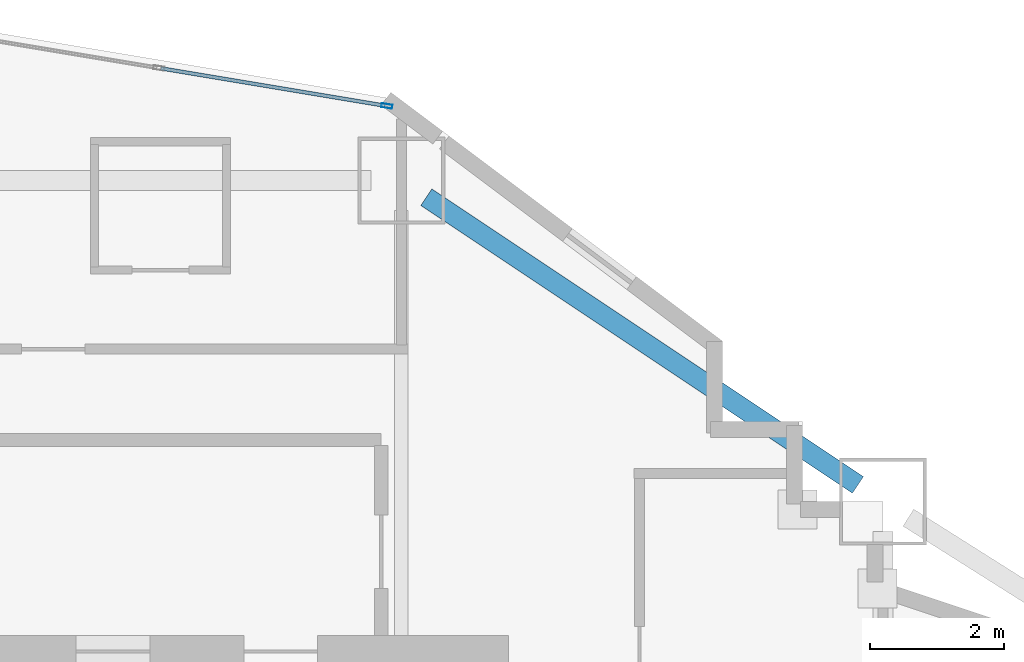
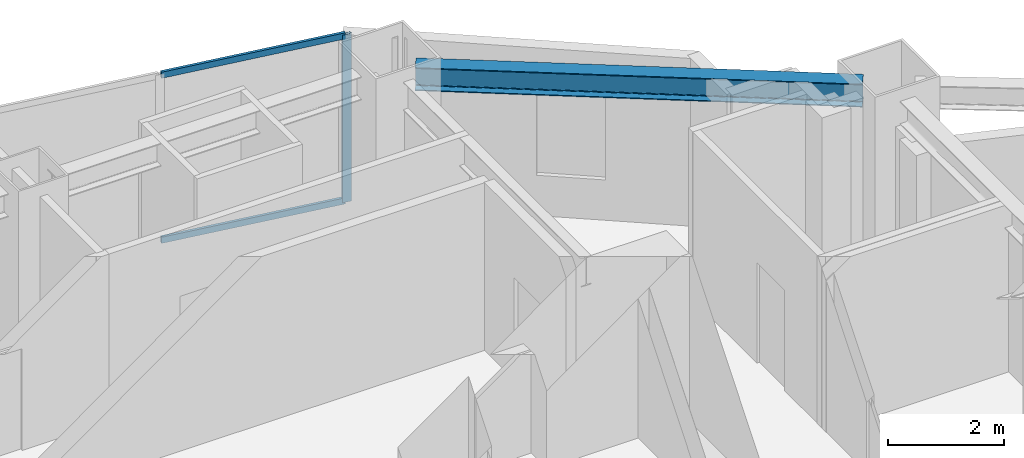
# One storey, part 5 of 19: 3 members, 1 beam, 1 element without a shape of its own.
"""IFC4 building model written with IfcOpenShell, lengths in metres."""

import ifcopenshell
import ifcopenshell.guid

model = None  # the IFC model being written
_history = None  # IfcOwnerHistory: only IFC2X3 demands one
_inside = {}  # id of a spatial element -> (the spatial element, [elements in it])
_under = {}  # id of a project, library or spatial element -> (it, [spatial elements below it])
_declared = {}  # id of a project -> (the project, [libraries it declares])
_typed = {}  # id of a type object -> (the type object, [elements of that type])
_made_of = {}  # id of a material, layer set ... -> (it, [elements and type objects made of it])


def new_model(schema):
    """Start an empty IFC model of exactly this schema.

    Asked for "IFC4X3", IfcOpenShell would pick the latest addendum, in which some entities
    have other attributes; the version numbers below select the first issue.
    IFC2X3 requires an IfcOwnerHistory on every rooted entity: one is made here for all.
    """
    global model, _history
    if schema == "IFC4X3":
        model = ifcopenshell.file(schema_version=(4, 3, 0, 0))
    else:
        model = ifcopenshell.file(schema=schema)
    _inside.clear()
    _under.clear()
    _declared.clear()
    _typed.clear()
    _made_of.clear()
    _history = None
    if model.schema == "IFC2X3":
        org = make("IfcOrganization", Name="unknown")
        user = make(
            "IfcPersonAndOrganization",
            ThePerson=make("IfcPerson", FamilyName="unknown"),
            TheOrganization=org,
        )
        app = make(
            "IfcApplication",
            ApplicationDeveloper=org,
            Version="unknown",
            ApplicationFullName="unknown",
            ApplicationIdentifier="unknown",
        )
        _history = make(
            "IfcOwnerHistory",
            OwningUser=user,
            OwningApplication=app,
            ChangeAction="ADDED",
            CreationDate=0,
        )
    return model


def make(cls, **values):
    """One entity of the class cls with the attributes given. An attribute that is None is left unset."""
    return model.create_entity(
        cls, **{name: value for name, value in values.items() if value is not None}
    )


def rooted(cls, **values):
    """An entity with a GlobalId (a new one), such as an element, a storey or a relation."""
    return make(cls, GlobalId=ifcopenshell.guid.new(), OwnerHistory=_history, **values)


def si_unit(unit_type, name, prefix=None):
    """IfcSIUnit, for example si_unit("LENGTHUNIT", "METRE", prefix="MILLI")."""
    return make("IfcSIUnit", UnitType=unit_type, Prefix=prefix, Name=name)


def assignment(units):
    """IfcUnitAssignment: the units of a project."""
    return None if units is None else make("IfcUnitAssignment", Units=units)


def point(xyz):
    """IfcCartesianPoint."""
    return None if xyz is None else make("IfcCartesianPoint", Coordinates=xyz)


def direction(xyz):
    """IfcDirection."""
    return None if xyz is None else make("IfcDirection", DirectionRatios=xyz)


def frame(location, z_axis=None, x_axis=None):
    """IfcAxis2Placement3D, a coordinate frame: its origin and axes. An axis left out is left unset."""
    return make(
        "IfcAxis2Placement3D",
        Location=point(location),
        Axis=direction(z_axis),
        RefDirection=direction(x_axis),
    )


def frame_2d(location, x_axis=None):
    """IfcAxis2Placement2D, a coordinate frame in the plane: its origin and x axis."""
    return make(
        "IfcAxis2Placement2D", Location=point(location), RefDirection=direction(x_axis)
    )


def origin():
    """The frame at (0, 0, 0) with its axes left unset."""
    return frame((0.0, 0.0, 0.0))


def origin_2d():
    """The frame at (0, 0) in the plane with its x axis left unset."""
    return frame_2d((0.0, 0.0))


def place(relative_to, where):
    """IfcLocalPlacement: puts the frame where relative to a parent placement (None: the world)."""
    return make(
        "IfcLocalPlacement", PlacementRelTo=relative_to, RelativePlacement=where
    )


def context(
    kind, dimensions, precision=None, world=None, true_north=None, identifier=None
):
    """IfcGeometricRepresentationContext, for example the 3D "Model" context."""
    return make(
        "IfcGeometricRepresentationContext",
        ContextIdentifier=identifier,
        ContextType=kind,
        CoordinateSpaceDimension=dimensions,
        Precision=precision,
        WorldCoordinateSystem=world,
        TrueNorth=true_north,
    )


def subcontext(parent, identifier, kind, view, scale=None):
    """IfcGeometricRepresentationSubContext, for example "Body" below "Model"."""
    return make(
        "IfcGeometricRepresentationSubContext",
        ContextIdentifier=identifier,
        ContextType=kind,
        ParentContext=parent,
        TargetScale=scale,
        TargetView=view,
    )


def project(units=None, contexts=None):
    """IfcProject with its units and contexts."""
    return rooted(
        "IfcProject",
        Name="project",
        RepresentationContexts=contexts,
        UnitsInContext=assignment(units),
    )


def spatial(cls, under=None, at=None, **own):
    """A site, building, storey or space (cls), placed at a placement, below another one or the project."""
    s = rooted(cls, ObjectPlacement=at, **own)
    if under is not None:
        _under.setdefault(under.id(), (under, []))[1].append(s)
    return s


def profile(cls, at=None, kind="AREA", **sizes):
    """A parametric profile (cls). Its sizes go by their IFC names, for example OverallWidth=200.0."""
    return make(cls, ProfileType=kind, Position=at, **sizes)


def hollow_rectangle(**sizes):
    """IfcRectangleHollowProfileDef."""
    return profile("IfcRectangleHollowProfileDef", **sizes)


def i_section(**sizes):
    """IfcIShapeProfileDef."""
    return profile("IfcIShapeProfileDef", **sizes)


def extrude(swept, where, along, depth):
    """IfcExtrudedAreaSolid: the profile swept, set in the frame where, extruded along a direction by depth."""
    return make(
        "IfcExtrudedAreaSolid",
        SweptArea=swept,
        Position=where,
        ExtrudedDirection=direction(along),
        Depth=depth,
    )


def shape(context_of_items, identifier, shape_type, items):
    """IfcShapeRepresentation: the items that make up one representation, for example the "Body"."""
    return make(
        "IfcShapeRepresentation",
        ContextOfItems=context_of_items,
        RepresentationIdentifier=identifier,
        RepresentationType=shape_type,
        Items=items,
    )


def material(Name=None, Category=None):
    """IfcMaterial."""
    return make("IfcMaterial", Name=Name, Category=Category)


def layer(
    of_material, thickness, ventilated=None, Name=None, Category=None, Priority=None
):
    """IfcMaterialLayer: one layer of a wall or slab, of a material (None: an air gap)."""
    return make(
        "IfcMaterialLayer",
        Material=of_material,
        LayerThickness=thickness,
        IsVentilated=ventilated,
        Name=Name,
        Category=Category,
        Priority=Priority,
    )


def layer_set(layers, Name=None):
    """IfcMaterialLayerSet."""
    return make("IfcMaterialLayerSet", MaterialLayers=layers, LayerSetName=Name)


def material_profile(
    of_material, cross_section, Name=None, Category=None, Priority=None
):
    """IfcMaterialProfile: a cross section and its material."""
    return make(
        "IfcMaterialProfile",
        Name=Name,
        Material=of_material,
        Profile=cross_section,
        Priority=Priority,
        Category=Category,
    )


def profile_set(profiles, Name=None, composite=None):
    """IfcMaterialProfileSet."""
    return make(
        "IfcMaterialProfileSet",
        Name=Name,
        MaterialProfiles=profiles,
        CompositeProfile=composite,
    )


def made_of(thing, what):
    """Note that an element or type object is made of a material, layer set ...; save() writes the relation."""
    if what is not None:
        _made_of.setdefault(what.id(), (what, []))[1].append(thing)
    return thing


def type_object(cls, material=None, **own):
    """A type object (cls), such as IfcWallType, which elements share."""
    return made_of(rooted(cls, **own), material)


def element(
    cls,
    number,
    at=None,
    inside=None,
    cuts=None,
    type_object=None,
    material=None,
    context=None,
    identifier="Body",
    shape_type=None,
    held_by="IfcProductDefinitionShape",
    body=None,
    shapes=None,
    **own,
):
    """One element of the class cls, such as IfcWall. Its Tag is "e" and its number.

    at: its placement. inside: the storey or other place that contains it. cuts: it is an
    opening in that element (IfcRelVoidsElement). A single representation is given by context,
    identifier, shape_type and body (its items); several are given by shapes. held_by: the class
    of the entity that holds the representations. save() writes the other relations.
    """
    e = rooted(cls, Tag="e%d" % number, ObjectPlacement=at, **own)
    if body is not None:
        shapes = [shape(context, identifier, shape_type, body)]
    if shapes is not None:
        e.Representation = make(held_by, Representations=shapes)
    if inside is not None:
        _inside.setdefault(inside.id(), (inside, []))[1].append(e)
    if cuts is not None:
        rooted(
            "IfcRelVoidsElement", RelatingBuildingElement=cuts, RelatedOpeningElement=e
        )
    if type_object is not None:
        _typed.setdefault(type_object.id(), (type_object, []))[1].append(e)
    return made_of(e, material)


def aggregate(whole, parts):
    """IfcRelAggregates: a whole, such as a stair, and the parts it consists of."""
    return rooted("IfcRelAggregates", RelatingObject=whole, RelatedObjects=parts)


def save(model, path):
    """Write the relations noted so far, then the file.

    IfcRelAggregates (storeys below a building ...), IfcRelContainedInSpatialStructure (elements
    in a storey), IfcRelDefinesByType, IfcRelAssociatesMaterial and IfcRelDeclares: one each for
    every whole, place, type object, material and project.
    """
    for whole, parts in _under.values():
        aggregate(whole, parts)
    for where, things in _inside.values():
        rooted(
            "IfcRelContainedInSpatialStructure",
            RelatedElements=things,
            RelatingStructure=where,
        )
    for kind, things in _typed.values():
        rooted("IfcRelDefinesByType", RelatedObjects=things, RelatingType=kind)
    for what, things in _made_of.values():
        rooted("IfcRelAssociatesMaterial", RelatedObjects=things, RelatingMaterial=what)
    for by, libraries in _declared.values():
        rooted("IfcRelDeclares", RelatingContext=by, RelatedDefinitions=libraries)
    model.write(path)


model = new_model("IFC4")

# Units and contexts
model_context = context("Model", 3, precision=1e-05, world=origin(), true_north=direction((0.0, 1.0)))
body_context = subcontext(model_context, "Body", "Model", "MODEL_VIEW")
ifc_project = project(units=[si_unit("LENGTHUNIT", "METRE"), si_unit("AREAUNIT", "SQUARE_METRE"), si_unit("VOLUMEUNIT", "CUBIC_METRE"), si_unit("PLANEANGLEUNIT", "RADIAN"), si_unit("MASSUNIT", "GRAM", prefix="KILO")], contexts=[model_context])

# Site, building, storey
site_placement = place(None, origin())
site = spatial("IfcSite", under=ifc_project, at=site_placement, CompositionType="ELEMENT")
building_placement = place(site_placement, origin())
building = spatial("IfcBuilding", under=site, at=building_placement, Name="Haolan Belvedere Tower", CompositionType="ELEMENT")
storey_placement = place(building_placement, frame((0.0, 0.0, 39.199951171875)))
storey = spatial("IfcBuildingStorey", under=building, at=storey_placement, Name="L09", CompositionType="ELEMENT", Elevation=39.199951171875)

# Beam
ifc_material_1 = material(Name="Steel Q355B", Category="steel")
ifc_material_profile_1 = material_profile(ifc_material_1, i_section(OverallWidth=0.300048828125, OverallDepth=0.488037109375, WebThickness=0.010986328125, FlangeThickness=0.01806640625, FilletRadius=0.02587890625, at=origin_2d()), Name="Steel Q355B")
ifc_profile_set_1 = profile_set([ifc_material_profile_1], Name="Steel Q355B")
beam_type = type_object("IfcBeamType", Name="BM-HM488x300x11x18", PredefinedType="SPANDREL", material=ifc_profile_set_1)
beam_placement = place(storey_placement, frame((45.974365234375, 50.150390625, 3.296142578125), z_axis=(0.832050294338, -0.554700196225, 0.0), x_axis=(0.554700196225, 0.832050294338, 0.0)))
element("IfcBeam", 1, at=beam_placement, inside=storey, type_object=beam_type, Name="L09 spandrel girder MC-T3-N2-MC-T3-NE", PredefinedType="SPANDREL", context=body_context, shape_type="SweptSolid", body=[
    extrude(i_section(OverallWidth=0.300048828125, OverallDepth=0.488037109375, WebThickness=0.010986328125, FlangeThickness=0.01806640625, FilletRadius=0.02587890625, at=origin_2d()), origin(), (0.0, 0.0, 1.0), 7.75341796875),
])

# Curtain wall, members
ifc_material_2 = material(Name="Anodised champagne-silver aluminium 6063-T6 and Low-E glass", Category="aluminium")
ifc_layer = layer(ifc_material_2, 0.1650390625, Name="Anodised champagne-silver aluminium 6063-T6 and Low-E glass")
ifc_layer_set = layer_set([ifc_layer], Name="Anodised champagne-silver aluminium 6063-T6 and Low-E glass")
curtain_wall_type = type_object("IfcCurtainWallType", Name="CW-SYS-02", PredefinedType="NOTDEFINED", material=ifc_layer_set)
curtain_wall_placement = place(storey_placement, origin())
curtain_wall = element("IfcCurtainWall", 2, at=curtain_wall_placement, inside=storey, type_object=curtain_wall_type, Name="L09 CW-SYS-02 ribbon curtain wall 42.1", PredefinedType="NOTDEFINED")
ifc_material_3 = material(Name="Anodised aluminium 6063-T6", Category="aluminium")
ifc_material_profile_2 = material_profile(ifc_material_3, hollow_rectangle(XDim=0.06005859375, YDim=0.1650390625, WallThickness=0.00390625, at=origin_2d()), Name="Anodised aluminium 6063-T6")
ifc_profile_set_2 = profile_set([ifc_material_profile_2], Name="Anodised aluminium 6063-T6")
member_type_1 = type_object("IfcMemberType", Name="CW-SYS-02-MUL", PredefinedType="MULLION", material=ifc_profile_set_2)
member_1_placement = place(storey_placement, frame((45.3837890625, 51.514404296875, 0.0), z_axis=(0.0, 0.0, 1.0), x_axis=(-0.16440364043, -0.9863931483, 0.0)))
member_1 = element("IfcMember", 3, at=member_1_placement, type_object=member_type_1, Name="CW-02 mullion 1", PredefinedType="MULLION", context=body_context, shape_type="SweptSolid", body=[
    extrude(hollow_rectangle(XDim=0.06005859375, YDim=0.1650390625, WallThickness=0.00390625, at=origin_2d()), origin(), (0.0, 0.0, 1.0), 3.5400390625),
])
ifc_material_profile_3 = material_profile(ifc_material_3, hollow_rectangle(XDim=0.054931640625, YDim=0.1298828125, WallThickness=0.00390625, at=origin_2d()), Name="Anodised aluminium 6063-T6")
ifc_profile_set_3 = profile_set([ifc_material_profile_3], Name="Anodised aluminium 6063-T6")
member_type_2 = type_object("IfcMemberType", Name="CW-SYS-02-TRN", PredefinedType="USERDEFINED", material=ifc_profile_set_3)
member_2_placement = place(storey_placement, frame((45.35400390625, 51.519287109375, 0.027587890625), z_axis=(-0.986393923832, 0.164398987305, 0.0), x_axis=(-0.164398987305, -0.986393923832, 0.0)))
member_2 = element("IfcMember", 4, at=member_2_placement, type_object=member_type_2, Name="CW-02 transom 1.1", ObjectType="TRANSOM", PredefinedType="USERDEFINED", context=body_context, shape_type="SweptSolid", body=[
    extrude(hollow_rectangle(XDim=0.054931640625, YDim=0.1298828125, WallThickness=0.00390625, at=origin_2d()), origin(), (0.0, 0.0, 1.0), 3.394775390625),
])
member_3_placement = place(storey_placement, frame((45.35400390625, 51.519287109375, 3.512451171875), z_axis=(-0.986393923832, 0.164398987305, 0.0), x_axis=(-0.164398987305, -0.986393923832, 0.0)))
member_3 = element("IfcMember", 5, at=member_3_placement, type_object=member_type_2, Name="CW-02 transom 1.2", ObjectType="TRANSOM", PredefinedType="USERDEFINED", context=body_context, shape_type="SweptSolid", body=[
    extrude(hollow_rectangle(XDim=0.054931640625, YDim=0.1298828125, WallThickness=0.00390625, at=origin_2d()), origin(), (0.0, 0.0, 1.0), 3.394775390625),
])
aggregate(curtain_wall, [member_1, member_2, member_3])

save(model, "model.ifc")
